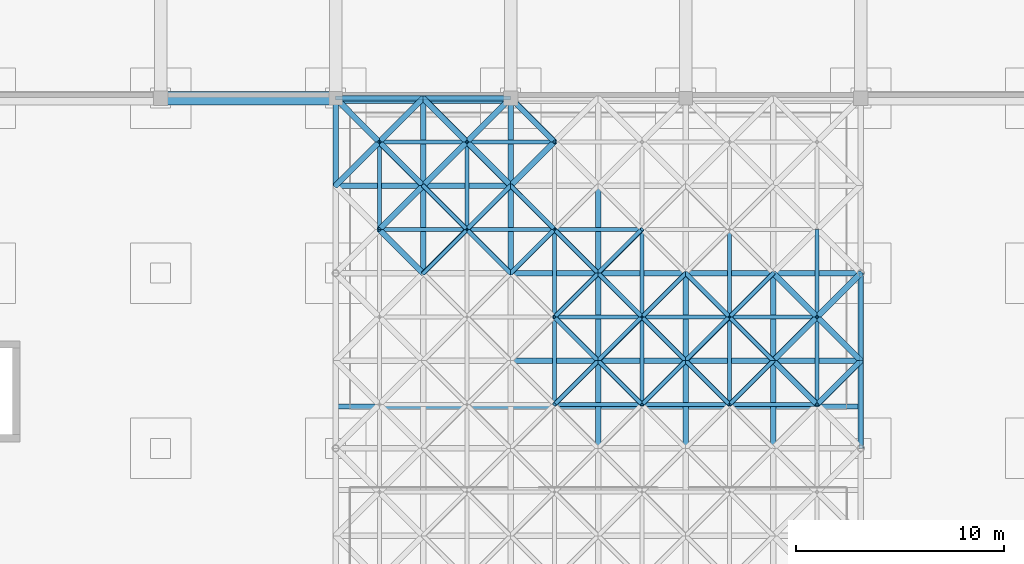
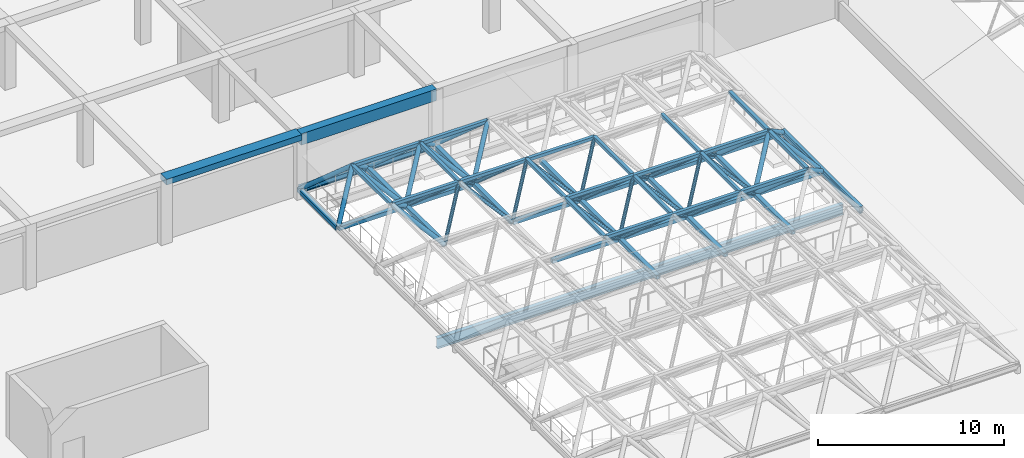
# One storey, part 24 of 85: 88 members, 5 beams.
"""IFC4 building model written with IfcOpenShell, lengths in metres."""

from ifc_helpers import new_model, si_unit, direction, frame, origin, origin_2d, place, context, subcontext, project, spatial, rectangle, hollow_rectangle, hollow_circle, i_section, extrude, material, material_profile, profile_set, type_object, element, save


model = new_model("IFC4")

# Units and contexts
model_context = context("Model", 3, precision=1e-05, world=origin(), true_north=direction((0.0, 1.0)))
body_context = subcontext(model_context, "Body", "Model", "MODEL_VIEW")
ifc_project = project(units=[si_unit("LENGTHUNIT", "METRE"), si_unit("AREAUNIT", "SQUARE_METRE"), si_unit("VOLUMEUNIT", "CUBIC_METRE"), si_unit("PLANEANGLEUNIT", "RADIAN"), si_unit("MASSUNIT", "GRAM", prefix="KILO")], contexts=[model_context])

# Site, building, storey
site_placement = place(None, origin())
site = spatial("IfcSite", under=ifc_project, at=site_placement, CompositionType="ELEMENT")
building_placement = place(site_placement, origin())
building = spatial("IfcBuilding", under=site, at=building_placement, Name="Almacenes y Pasaje Nevantli", CompositionType="ELEMENT")
storey_placement = place(building_placement, frame((0.0, 0.0, 22.199951171875)))
storey = spatial("IfcBuildingStorey", under=building, at=storey_placement, Name="L05", CompositionType="ELEMENT", Elevation=22.199951171875)

# Beams
ifc_material_1 = material(Name="Concrete C35/45", Category="concrete")
ifc_material_profile_1 = material_profile(ifc_material_1, rectangle(XDim=0.5, YDim=0.75, at=origin_2d()), Name="RC-BM-500x750")
ifc_profile_set_1 = profile_set([ifc_material_profile_1], Name="Concrete C35/45")
beam_type_1 = type_object("IfcBeamType", Name="BM-RC-500x750", PredefinedType="BEAM", material=ifc_profile_set_1)
beam_1_placement = place(storey_placement, frame((33.60009765625, 75.60009765625, 3.844970703125), z_axis=(1.0, 0.0, 0.0), x_axis=(0.0, 1.0, 0.0)))
element("IfcBeam", 1, at=beam_1_placement, inside=storey, type_object=beam_type_1, Name="L05 East-West Reinforced Concrete Beam #3324", PredefinedType="BEAM", context=body_context, shape_type="SweptSolid", body=[
    extrude(rectangle(XDim=0.5, YDim=0.75, at=origin_2d()), origin(), (0.0, 0.0, 1.0), 8.39990234375),
])
ifc_material_2 = material(Name="Concrete C35/45", Category="concrete")
ifc_material_profile_2 = material_profile(ifc_material_2, rectangle(XDim=0.64990234375, YDim=0.3798828125, at=origin_2d()), Name="RC-BM-650x380")
ifc_profile_set_2 = profile_set([ifc_material_profile_2], Name="Concrete C35/45")
beam_type_2 = type_object("IfcBeamType", Name="BM-RC-650x380", PredefinedType="BEAM", material=ifc_profile_set_2)
beam_2_placement = place(storey_placement, frame((25.199951171875, 75.60009765625, 4.030029296875), z_axis=(1.0, 0.0, 0.0), x_axis=(0.0, 1.0, 0.0)))
element("IfcBeam", 2, at=beam_2_placement, inside=storey, type_object=beam_type_2, Name="L05 East-West Reinforced Concrete Beam #3323", PredefinedType="BEAM", context=body_context, shape_type="SweptSolid", body=[
    extrude(rectangle(XDim=0.64990234375, YDim=0.3798828125, at=origin_2d()), origin(), (0.0, 0.0, 1.0), 8.400146484375),
])
ifc_material_3 = material(Name="Steel ASTM A992", Category="steel")
ifc_material_profile_3 = material_profile(ifc_material_3, i_section(OverallWidth=0.193115234375, OverallDepth=0.4599609375, WebThickness=0.011474609375, FlangeThickness=0.01904296875, at=origin_2d()), Name="IR 457x96.7")
ifc_profile_set_3 = profile_set([ifc_material_profile_3], Name="Steel ASTM A992")
beam_type_3 = type_object("IfcBeamType", Name="BM-STL-IR-457x96p7", PredefinedType="BEAM", material=ifc_profile_set_3)
for number, where, z_axis, x_axis, name in (
    (3, (58.800048828125, 58.800048828125, 0.449951171875), (0.0, 1.0, 0.0), (-1.0, 0.0, 0.0), "Atrium Skylight Perimeter Steel Eave Girder #7"),
    (4, (33.60009765625, 75.60009765625, 0.449951171875), (1.0, 0.0, 0.0), (0.0, 1.0, 0.0), "Atrium Skylight Perimeter Steel Eave Girder #12"),
):
    element("IfcBeam", number, at=place(storey_placement, frame(where, z_axis=z_axis, x_axis=x_axis)), inside=storey, type_object=beam_type_3, Name=name, PredefinedType="BEAM", context=body_context, shape_type="SweptSolid", body=[
        extrude(i_section(OverallWidth=0.193115234375, OverallDepth=0.4599609375, WebThickness=0.011474609375, FlangeThickness=0.01904296875, at=origin_2d()), origin(), (0.0, 0.0, 1.0), 8.39990234375),
    ])
ifc_material_4 = material(Name="Steel ASTM A992", Category="steel")
ifc_material_profile_4 = material_profile(ifc_material_4, i_section(OverallWidth=0.25390625, OverallDepth=0.68798828125, WebThickness=0.01318359375, FlangeThickness=0.02099609375, at=origin_2d()), Name="IR 686x152.0")
ifc_profile_set_4 = profile_set([ifc_material_profile_4], Name="Steel ASTM A992")
beam_type_4 = type_object("IfcBeamType", Name="BM-STL-IR-686x152p0", PredefinedType="BEAM", material=ifc_profile_set_4)
beam_3_placement = place(storey_placement, frame((33.60009765625, 60.800048828125, -0.65185546875), z_axis=(1.0, 0.0, 0.0), x_axis=(0.0, 1.0, 0.0)))
element("IfcBeam", 5, at=beam_3_placement, inside=storey, type_object=beam_type_4, Name="L05 Atrium Escalator Bridge and Trimmer Girder #3", PredefinedType="BEAM", context=body_context, shape_type="SweptSolid", body=[
    extrude(i_section(OverallWidth=0.25390625, OverallDepth=0.68798828125, WebThickness=0.01318359375, FlangeThickness=0.02099609375, at=origin_2d()), origin(), (0.0, 0.0, 1.0), 25.199951171875),
])

# Members
ifc_material_5 = material(Name="Steel ASTM A500 Grade C", Category="steel")
ifc_material_profile_5 = material_profile(ifc_material_5, hollow_circle(Radius=0.109619140625, WallThickness=0.00830078125, at=origin_2d()), Name="OC 219x8.2")
ifc_profile_set_5 = profile_set([ifc_material_profile_5], Name="Steel ASTM A500 Grade C")
member_type_1 = type_object("IfcMemberType", Name="MBR-BRC-OC219", PredefinedType="BRACE", material=ifc_profile_set_5)
for number, where, z_axis, x_axis, name in (
    (6, (37.800048828125, 67.199951171875, 0.449951171875), (0.57730552116, 0.577372641904, 0.577372641904), (-0.707147883682, 0.707065676302, 0.0), "Atrium Skylight Space Frame Diagonal Web #194"),
    (7, (42.0, 67.199951171875, 0.449951171875), (-0.57735026919, 0.57735026919, 0.57735026919), (-0.707106781187, -0.707106781187, 0.0), "Atrium Skylight Space Frame Diagonal Web #195"),
    (8, (42.0, 71.39990234375, 0.449951171875), (-0.577372641904, -0.57730552116, 0.577372641904), (0.707065676302, -0.707147883682, 0.0), "Atrium Skylight Space Frame Diagonal Web #196"),
):
    element("IfcMember", number, at=place(storey_placement, frame(where, z_axis=z_axis, x_axis=x_axis)), inside=storey, type_object=member_type_1, Name=name, PredefinedType="BRACE", context=body_context, shape_type="SweptSolid", body=[
        extrude(hollow_circle(Radius=0.109619140625, WallThickness=0.00830078125, at=origin_2d()), origin(), (0.0, 0.0, 1.0), 3.637451171875),
    ])
member_1_placement = place(storey_placement, frame((37.800048828125, 71.39990234375, 0.449951171875), z_axis=(0.577327893874, -0.577327893874, 0.577395017219), x_axis=(0.707106781187, 0.707106781187, 0.0)))
element("IfcMember", 9, at=member_1_placement, inside=storey, type_object=member_type_1, Name="Atrium Skylight Space Frame Diagonal Web #197", PredefinedType="BRACE", context=body_context, shape_type="SweptSolid", body=[
    extrude(hollow_circle(Radius=0.109619140625, WallThickness=0.00830078125, at=origin_2d()), origin(), (0.0, 0.0, 1.0), 3.63720703125),
])
for number, where, z_axis, x_axis, name in (
    (10, (46.199951171875, 63.0, 0.449951171875), (-0.57730552116, -0.577372641904, 0.577372641904), (0.707147883682, -0.707065676302, 0.0), "Atrium Skylight Space Frame Diagonal Web #231"),
    (11, (46.199951171875, 63.0, 0.449951171875), (-0.57730552116, 0.577372641904, 0.577372641904), (-0.707147883682, -0.707065676302, 0.0), "Atrium Skylight Space Frame Diagonal Web #236"),
):
    element("IfcMember", number, at=place(storey_placement, frame(where, z_axis=z_axis, x_axis=x_axis)), inside=storey, type_object=member_type_1, Name=name, PredefinedType="BRACE", context=body_context, shape_type="SweptSolid", body=[
        extrude(hollow_circle(Radius=0.109619140625, WallThickness=0.00830078125, at=origin_2d()), origin(), (0.0, 0.0, 1.0), 3.637451171875),
    ])
member_2_placement = place(storey_placement, frame((46.199951171875, 67.199951171875, 0.449951171875), z_axis=(-0.577327893874, -0.577327893874, 0.577395017219), x_axis=(0.707106781187, -0.707106781187, 0.0)))
element("IfcMember", 12, at=member_2_placement, inside=storey, type_object=member_type_1, Name="Atrium Skylight Space Frame Diagonal Web #237", PredefinedType="BRACE", context=body_context, shape_type="SweptSolid", body=[
    extrude(hollow_circle(Radius=0.109619140625, WallThickness=0.00830078125, at=origin_2d()), origin(), (0.0, 0.0, 1.0), 3.63720703125),
])
for number, where, z_axis, x_axis, name in (
    (13, (42.0, 67.199951171875, 0.449951171875), (0.57735026919, 0.57735026919, 0.57735026919), (-0.707106781187, 0.707106781187, 0.0), "Atrium Skylight Space Frame Diagonal Web #241"),
    (14, (46.199951171875, 67.199951171875, 0.449951171875), (-0.57730552116, 0.577372641904, 0.577372641904), (-0.707147883682, -0.707065676302, 0.0), "Atrium Skylight Space Frame Diagonal Web #242"),
    (15, (42.0, 71.39990234375, 0.449951171875), (0.577372641904, -0.57730552116, 0.577372641904), (0.707065676302, 0.707147883682, 0.0), "Atrium Skylight Space Frame Diagonal Web #244"),
    (16, (50.39990234375, 63.0, 0.449951171875), (-0.57730552116, -0.577372641904, 0.577372641904), (0.707147883682, -0.707065676302, 0.0), "Atrium Skylight Space Frame Diagonal Web #278"),
    (17, (46.199951171875, 63.0, 0.449951171875), (0.57735026919, -0.57735026919, 0.57735026919), (0.707106781187, 0.707106781187, 0.0), "Atrium Skylight Space Frame Diagonal Web #279"),
    (18, (46.199951171875, 63.0, 0.449951171875), (0.57735026919, 0.57735026919, 0.57735026919), (-0.707106781187, 0.707106781187, 0.0), "Atrium Skylight Space Frame Diagonal Web #282"),
    (19, (50.39990234375, 63.0, 0.449951171875), (-0.57730552116, 0.577372641904, 0.577372641904), (-0.707147883682, -0.707065676302, 0.0), "Atrium Skylight Space Frame Diagonal Web #283"),
):
    element("IfcMember", number, at=place(storey_placement, frame(where, z_axis=z_axis, x_axis=x_axis)), inside=storey, type_object=member_type_1, Name=name, PredefinedType="BRACE", context=body_context, shape_type="SweptSolid", body=[
        extrude(hollow_circle(Radius=0.109619140625, WallThickness=0.00830078125, at=origin_2d()), origin(), (0.0, 0.0, 1.0), 3.637451171875),
    ])
member_3_placement = place(storey_placement, frame((50.39990234375, 67.199951171875, 0.449951171875), z_axis=(-0.577327893874, -0.577327893874, 0.577395017219), x_axis=(0.707106781187, -0.707106781187, 0.0)))
element("IfcMember", 20, at=member_3_placement, inside=storey, type_object=member_type_1, Name="Atrium Skylight Space Frame Diagonal Web #284", PredefinedType="BRACE", context=body_context, shape_type="SweptSolid", body=[
    extrude(hollow_circle(Radius=0.109619140625, WallThickness=0.00830078125, at=origin_2d()), origin(), (0.0, 0.0, 1.0), 3.63720703125),
])
for number, where, z_axis, x_axis, name in (
    (21, (46.199951171875, 67.199951171875, 0.449951171875), (0.577372641904, -0.57730552116, 0.577372641904), (0.707065676302, 0.707147883682, 0.0), "Atrium Skylight Space Frame Diagonal Web #285"),
    (22, (46.199951171875, 67.199951171875, 0.449951171875), (0.57735026919, 0.57735026919, 0.57735026919), (-0.707106781187, 0.707106781187, 0.0), "Atrium Skylight Space Frame Diagonal Web #288"),
    (23, (54.60009765625, 63.0, 0.449951171875), (-0.57735026919, -0.57735026919, 0.57735026919), (0.707106781187, -0.707106781187, 0.0), "Atrium Skylight Space Frame Diagonal Web #325"),
    (24, (50.39990234375, 63.0, 0.449951171875), (0.57735026919, -0.57735026919, 0.57735026919), (0.707106781187, 0.707106781187, 0.0), "Atrium Skylight Space Frame Diagonal Web #326"),
    (25, (50.39990234375, 63.0, 0.449951171875), (0.57735026919, 0.57735026919, 0.57735026919), (-0.707106781187, 0.707106781187, 0.0), "Atrium Skylight Space Frame Diagonal Web #329"),
    (26, (54.60009765625, 63.0, 0.449951171875), (-0.57735026919, 0.57735026919, 0.57735026919), (-0.707106781187, -0.707106781187, 0.0), "Atrium Skylight Space Frame Diagonal Web #330"),
    (27, (54.60009765625, 67.199951171875, 0.449951171875), (-0.577372641904, -0.57730552116, 0.577372641904), (0.707065676302, -0.707147883682, 0.0), "Atrium Skylight Space Frame Diagonal Web #331"),
    (28, (50.39990234375, 67.199951171875, 0.449951171875), (0.577372641904, -0.57730552116, 0.577372641904), (0.707065676302, 0.707147883682, 0.0), "Atrium Skylight Space Frame Diagonal Web #332"),
):
    element("IfcMember", number, at=place(storey_placement, frame(where, z_axis=z_axis, x_axis=x_axis)), inside=storey, type_object=member_type_1, Name=name, PredefinedType="BRACE", context=body_context, shape_type="SweptSolid", body=[
        extrude(hollow_circle(Radius=0.109619140625, WallThickness=0.00830078125, at=origin_2d()), origin(), (0.0, 0.0, 1.0), 3.637451171875),
    ])
ifc_material_6 = material(Name="Steel ASTM A500 Grade C", Category="steel")
ifc_material_profile_6 = material_profile(ifc_material_6, hollow_circle(Radius=0.136474609375, WallThickness=0.00927734375, at=origin_2d()), Name="OC 273x9.3")
ifc_profile_set_6 = profile_set([ifc_material_profile_6], Name="Steel ASTM A500 Grade C")
member_type_2 = type_object("IfcMemberType", Name="MBR-BRC-OC273", PredefinedType="BRACE", material=ifc_profile_set_6)
for number, where, z_axis, x_axis, name in (
    (29, (37.800048828125, 67.199951171875, 0.449951171875), (-0.57735026919, 0.57735026919, 0.57735026919), (-0.707106781187, -0.707106781187, 0.0), "Atrium Skylight Space Frame Diagonal Web #148"),
    (30, (37.800048828125, 71.39990234375, 0.449951171875), (-0.577372641904, -0.57730552116, 0.577372641904), (0.707065676302, -0.707147883682, 0.0), "Atrium Skylight Space Frame Diagonal Web #149"),
    (31, (33.60009765625, 71.39990234375, 0.449951171875), (0.57730552116, 0.577372641904, 0.577372641904), (-0.707147883682, 0.707065676302, 0.0), "Atrium Skylight Space Frame Diagonal Web #153"),
    (32, (37.800048828125, 71.39990234375, 0.449951171875), (-0.57735026919, 0.57735026919, 0.57735026919), (-0.707106781187, -0.707106781187, 0.0), "Atrium Skylight Space Frame Diagonal Web #154"),
    (33, (37.800048828125, 75.60009765625, 0.449951171875), (-0.57735026919, -0.57735026919, 0.57735026919), (0.707106781187, -0.707106781187, 0.0), "Atrium Skylight Space Frame Diagonal Web #155"),
    (34, (33.60009765625, 75.60009765625, 0.449951171875), (0.57730552116, -0.577372641904, 0.577372641904), (0.707147883682, 0.707065676302, 0.0), "Atrium Skylight Space Frame Diagonal Web #156"),
    (35, (37.800048828125, 71.39990234375, 0.449951171875), (0.57730552116, 0.577372641904, 0.577372641904), (-0.707147883682, 0.707065676302, 0.0), "Atrium Skylight Space Frame Diagonal Web #200"),
    (36, (42.0, 71.39990234375, 0.449951171875), (-0.57735026919, 0.57735026919, 0.57735026919), (-0.707106781187, -0.707106781187, 0.0), "Atrium Skylight Space Frame Diagonal Web #201"),
    (37, (42.0, 75.60009765625, 0.449951171875), (-0.57735026919, -0.57735026919, 0.57735026919), (0.707106781187, -0.707106781187, 0.0), "Atrium Skylight Space Frame Diagonal Web #202"),
    (38, (37.800048828125, 75.60009765625, 0.449951171875), (0.57730552116, -0.577372641904, 0.577372641904), (0.707147883682, 0.707065676302, 0.0), "Atrium Skylight Space Frame Diagonal Web #203"),
    (39, (42.0, 71.39990234375, 0.449951171875), (0.57735026919, 0.57735026919, 0.57735026919), (-0.707106781187, 0.707106781187, 0.0), "Atrium Skylight Space Frame Diagonal Web #247"),
    (40, (42.0, 75.60009765625, 0.449951171875), (0.57735026919, -0.57735026919, 0.57735026919), (0.707106781187, 0.707106781187, 0.0), "Atrium Skylight Space Frame Diagonal Web #250"),
    (41, (58.800048828125, 63.0, 0.449951171875), (-0.57735026919, -0.57735026919, 0.57735026919), (0.707106781187, -0.707106781187, 0.0), "Atrium Skylight Space Frame Diagonal Web #368"),
    (42, (54.60009765625, 63.0, 0.449951171875), (0.57730552116, -0.577372641904, 0.577372641904), (0.707147883682, 0.707065676302, 0.0), "Atrium Skylight Space Frame Diagonal Web #369"),
    (43, (54.60009765625, 63.0, 0.449951171875), (0.57730552116, 0.577372641904, 0.577372641904), (-0.707147883682, 0.707065676302, 0.0), "Atrium Skylight Space Frame Diagonal Web #371"),
    (44, (58.800048828125, 63.0, 0.449951171875), (-0.57735026919, 0.57735026919, 0.57735026919), (-0.707106781187, -0.707106781187, 0.0), "Atrium Skylight Space Frame Diagonal Web #372"),
    (45, (58.800048828125, 67.199951171875, 0.449951171875), (-0.577372641904, -0.57730552116, 0.577372641904), (0.707065676302, -0.707147883682, 0.0), "Atrium Skylight Space Frame Diagonal Web #373"),
):
    element("IfcMember", number, at=place(storey_placement, frame(where, z_axis=z_axis, x_axis=x_axis)), inside=storey, type_object=member_type_2, Name=name, PredefinedType="BRACE", context=body_context, shape_type="SweptSolid", body=[
        extrude(hollow_circle(Radius=0.136474609375, WallThickness=0.00927734375, at=origin_2d()), origin(), (0.0, 0.0, 1.0), 3.637451171875),
    ])
member_4_placement = place(storey_placement, frame((54.60009765625, 67.199951171875, 0.449951171875), z_axis=(0.577327893874, -0.577327893874, 0.577395017219), x_axis=(0.707106781187, 0.707106781187, 0.0)))
element("IfcMember", 46, at=member_4_placement, inside=storey, type_object=member_type_2, Name="Atrium Skylight Space Frame Diagonal Web #374", PredefinedType="BRACE", context=body_context, shape_type="SweptSolid", body=[
    extrude(hollow_circle(Radius=0.136474609375, WallThickness=0.00927734375, at=origin_2d()), origin(), (0.0, 0.0, 1.0), 3.63720703125),
])
ifc_material_7 = material(Name="Steel ASTM A500 Grade C", Category="steel")
ifc_material_profile_7 = material_profile(ifc_material_7, hollow_rectangle(XDim=0.203125, YDim=0.203125, WallThickness=0.009521484375, at=origin_2d()), Name="OR 203x203x9.5")
ifc_profile_set_7 = profile_set([ifc_material_profile_7], Name="Steel ASTM A500 Grade C")
member_type_3 = type_object("IfcMemberType", Name="MBR-BRC-OR203", PredefinedType="BRACE", material=ifc_profile_set_7)
for number, where, z_axis, x_axis, name in (
    (47, (35.699951171875, 69.300048828125, 2.550048828125), (1.0, 0.0, 0.0), (0.0, 1.0, 0.0), "Atrium Skylight Space Frame Top Chord X #151"),
    (48, (35.699951171875, 69.300048828125, 2.550048828125), (0.0, 1.0, 0.0), (-1.0, 0.0, 0.0), "Atrium Skylight Space Frame Top Chord Y #152"),
    (49, (35.699951171875, 73.5, 2.550048828125), (1.0, 0.0, 0.0), (0.0, 1.0, 0.0), "Atrium Skylight Space Frame Top Chord X #157"),
):
    element("IfcMember", number, at=place(storey_placement, frame(where, z_axis=z_axis, x_axis=x_axis)), inside=storey, type_object=member_type_3, Name=name, PredefinedType="BRACE", context=body_context, shape_type="SweptSolid", body=[
        extrude(hollow_rectangle(XDim=0.203125, YDim=0.203125, WallThickness=0.009521484375, at=origin_2d()), origin(), (0.0, 0.0, 1.0), 4.199951171875),
    ])
member_5_placement = place(storey_placement, frame((39.89990234375, 69.300048828125, 2.550048828125), z_axis=(1.0, 0.0, 0.0), x_axis=(0.0, 1.0, 0.0)))
element("IfcMember", 50, at=member_5_placement, inside=storey, type_object=member_type_3, Name="Atrium Skylight Space Frame Top Chord X #198", PredefinedType="BRACE", context=body_context, shape_type="SweptSolid", body=[
    extrude(hollow_rectangle(XDim=0.203125, YDim=0.203125, WallThickness=0.009521484375, at=origin_2d()), origin(), (0.0, 0.0, 1.0), 4.2001953125),
])
member_6_placement = place(storey_placement, frame((39.89990234375, 69.300048828125, 2.550048828125), z_axis=(0.0, 1.0, 0.0), x_axis=(-1.0, 0.0, 0.0)))
element("IfcMember", 51, at=member_6_placement, inside=storey, type_object=member_type_3, Name="Atrium Skylight Space Frame Top Chord Y #199", PredefinedType="BRACE", context=body_context, shape_type="SweptSolid", body=[
    extrude(hollow_rectangle(XDim=0.203125, YDim=0.203125, WallThickness=0.009521484375, at=origin_2d()), origin(), (0.0, 0.0, 1.0), 4.199951171875),
])
member_7_placement = place(storey_placement, frame((39.89990234375, 73.5, 2.550048828125), z_axis=(1.0, 0.0, 0.0), x_axis=(0.0, 1.0, 0.0)))
element("IfcMember", 52, at=member_7_placement, inside=storey, type_object=member_type_3, Name="Atrium Skylight Space Frame Top Chord X #204", PredefinedType="BRACE", context=body_context, shape_type="SweptSolid", body=[
    extrude(hollow_rectangle(XDim=0.203125, YDim=0.203125, WallThickness=0.009521484375, at=origin_2d()), origin(), (0.0, 0.0, 1.0), 4.2001953125),
])
member_8_placement = place(storey_placement, frame((44.10009765625, 60.89990234375, 2.550048828125), z_axis=(1.0, 0.0, 0.0), x_axis=(0.0, 1.0, 0.0)))
element("IfcMember", 53, at=member_8_placement, inside=storey, type_object=member_type_3, Name="Atrium Skylight Space Frame Top Chord X #233", PredefinedType="BRACE", context=body_context, shape_type="SweptSolid", body=[
    extrude(hollow_rectangle(XDim=0.203125, YDim=0.203125, WallThickness=0.009521484375, at=origin_2d()), origin(), (0.0, 0.0, 1.0), 4.199951171875),
])
member_9_placement = place(storey_placement, frame((44.10009765625, 60.89990234375, 2.550048828125), z_axis=(0.0, 1.0, 0.0), x_axis=(-1.0, 0.0, 0.0)))
element("IfcMember", 54, at=member_9_placement, inside=storey, type_object=member_type_3, Name="Atrium Skylight Space Frame Top Chord Y #234", PredefinedType="BRACE", context=body_context, shape_type="SweptSolid", body=[
    extrude(hollow_rectangle(XDim=0.203125, YDim=0.203125, WallThickness=0.009521484375, at=origin_2d()), origin(), (0.0, 0.0, 1.0), 4.2001953125),
])
for number, where, z_axis, x_axis, name in (
    (55, (44.10009765625, 65.10009765625, 2.550048828125), (1.0, 0.0, 0.0), (0.0, 1.0, 0.0), "Atrium Skylight Space Frame Top Chord X #239"),
    (56, (44.10009765625, 65.10009765625, 2.550048828125), (0.0, 1.0, 0.0), (-1.0, 0.0, 0.0), "Atrium Skylight Space Frame Top Chord Y #240"),
    (57, (44.10009765625, 69.300048828125, 2.550048828125), (1.0, 0.0, 0.0), (0.0, 1.0, 0.0), "Atrium Skylight Space Frame Top Chord X #245"),
    (58, (48.300048828125, 60.89990234375, 2.550048828125), (1.0, 0.0, 0.0), (0.0, 1.0, 0.0), "Atrium Skylight Space Frame Top Chord X #280"),
):
    element("IfcMember", number, at=place(storey_placement, frame(where, z_axis=z_axis, x_axis=x_axis)), inside=storey, type_object=member_type_3, Name=name, PredefinedType="BRACE", context=body_context, shape_type="SweptSolid", body=[
        extrude(hollow_rectangle(XDim=0.203125, YDim=0.203125, WallThickness=0.009521484375, at=origin_2d()), origin(), (0.0, 0.0, 1.0), 4.199951171875),
    ])
member_10_placement = place(storey_placement, frame((48.300048828125, 60.89990234375, 2.550048828125), z_axis=(0.0, 1.0, 0.0), x_axis=(-1.0, 0.0, 0.0)))
element("IfcMember", 59, at=member_10_placement, inside=storey, type_object=member_type_3, Name="Atrium Skylight Space Frame Top Chord Y #281", PredefinedType="BRACE", context=body_context, shape_type="SweptSolid", body=[
    extrude(hollow_rectangle(XDim=0.203125, YDim=0.203125, WallThickness=0.009521484375, at=origin_2d()), origin(), (0.0, 0.0, 1.0), 4.2001953125),
])
for number, where, z_axis, x_axis, name in (
    (60, (48.300048828125, 65.10009765625, 2.550048828125), (1.0, 0.0, 0.0), (0.0, 1.0, 0.0), "Atrium Skylight Space Frame Top Chord X #286"),
    (61, (48.300048828125, 65.10009765625, 2.550048828125), (0.0, 1.0, 0.0), (-1.0, 0.0, 0.0), "Atrium Skylight Space Frame Top Chord Y #287"),
    (62, (52.5, 60.89990234375, 2.550048828125), (1.0, 0.0, 0.0), (0.0, 1.0, 0.0), "Atrium Skylight Space Frame Top Chord X #327"),
):
    element("IfcMember", number, at=place(storey_placement, frame(where, z_axis=z_axis, x_axis=x_axis)), inside=storey, type_object=member_type_3, Name=name, PredefinedType="BRACE", context=body_context, shape_type="SweptSolid", body=[
        extrude(hollow_rectangle(XDim=0.203125, YDim=0.203125, WallThickness=0.009521484375, at=origin_2d()), origin(), (0.0, 0.0, 1.0), 4.199951171875),
    ])
member_11_placement = place(storey_placement, frame((52.5, 60.89990234375, 2.550048828125), z_axis=(0.0, 1.0, 0.0), x_axis=(-1.0, 0.0, 0.0)))
element("IfcMember", 63, at=member_11_placement, inside=storey, type_object=member_type_3, Name="Atrium Skylight Space Frame Top Chord Y #328", PredefinedType="BRACE", context=body_context, shape_type="SweptSolid", body=[
    extrude(hollow_rectangle(XDim=0.203125, YDim=0.203125, WallThickness=0.009521484375, at=origin_2d()), origin(), (0.0, 0.0, 1.0), 4.2001953125),
])
for number, where, z_axis, x_axis, name in (
    (64, (52.5, 65.10009765625, 2.550048828125), (1.0, 0.0, 0.0), (0.0, 1.0, 0.0), "Atrium Skylight Space Frame Top Chord X #333"),
    (65, (52.5, 65.10009765625, 2.550048828125), (0.0, 1.0, 0.0), (-1.0, 0.0, 0.0), "Atrium Skylight Space Frame Top Chord Y #334"),
):
    element("IfcMember", number, at=place(storey_placement, frame(where, z_axis=z_axis, x_axis=x_axis)), inside=storey, type_object=member_type_3, Name=name, PredefinedType="BRACE", context=body_context, shape_type="SweptSolid", body=[
        extrude(hollow_rectangle(XDim=0.203125, YDim=0.203125, WallThickness=0.009521484375, at=origin_2d()), origin(), (0.0, 0.0, 1.0), 4.199951171875),
    ])
member_12_placement = place(storey_placement, frame((56.699951171875, 60.89990234375, 2.550048828125), z_axis=(0.0, 1.0, 0.0), x_axis=(-1.0, 0.0, 0.0)))
element("IfcMember", 66, at=member_12_placement, inside=storey, type_object=member_type_3, Name="Atrium Skylight Space Frame Top Chord Y #370", PredefinedType="BRACE", context=body_context, shape_type="SweptSolid", body=[
    extrude(hollow_rectangle(XDim=0.203125, YDim=0.203125, WallThickness=0.009521484375, at=origin_2d()), origin(), (0.0, 0.0, 1.0), 4.2001953125),
])
member_13_placement = place(storey_placement, frame((56.699951171875, 65.10009765625, 2.550048828125), z_axis=(0.0, 1.0, 0.0), x_axis=(-1.0, 0.0, 0.0)))
element("IfcMember", 67, at=member_13_placement, inside=storey, type_object=member_type_3, Name="Atrium Skylight Space Frame Top Chord Y #375", PredefinedType="BRACE", context=body_context, shape_type="SweptSolid", body=[
    extrude(hollow_rectangle(XDim=0.203125, YDim=0.203125, WallThickness=0.009521484375, at=origin_2d()), origin(), (0.0, 0.0, 1.0), 4.199951171875),
])
ifc_material_8 = material(Name="Steel ASTM A500 Grade C", Category="steel")
ifc_material_profile_8 = material_profile(ifc_material_8, hollow_rectangle(XDim=0.25390625, YDim=0.25390625, WallThickness=0.009521484375, at=origin_2d()), Name="OR 254x254x9.5")
ifc_profile_set_8 = profile_set([ifc_material_profile_8], Name="Steel ASTM A500 Grade C")
member_type_4 = type_object("IfcMemberType", Name="MBR-BRC-OR254", PredefinedType="BRACE", material=ifc_profile_set_8)
member_14_placement = place(storey_placement, frame((33.60009765625, 71.39990234375, 0.449951171875), z_axis=(0.0, 1.0, 0.0), x_axis=(-1.0, 0.0, 0.0)))
element("IfcMember", 68, at=member_14_placement, inside=storey, type_object=member_type_4, Name="Atrium Skylight Space Frame Bottom Chord #8", PredefinedType="BRACE", context=body_context, shape_type="SweptSolid", body=[
    extrude(hollow_rectangle(XDim=0.25390625, YDim=0.25390625, WallThickness=0.009521484375, at=origin_2d()), origin(), (0.0, 0.0, 1.0), 4.2001953125),
])
member_15_placement = place(storey_placement, frame((37.800048828125, 67.199951171875, 0.449951171875), z_axis=(0.0, 1.0, 0.0), x_axis=(-1.0, 0.0, 0.0)))
element("IfcMember", 69, at=member_15_placement, inside=storey, type_object=member_type_4, Name="Atrium Skylight Space Frame Bottom Chord #15", PredefinedType="BRACE", context=body_context, shape_type="SweptSolid", body=[
    extrude(hollow_rectangle(XDim=0.25390625, YDim=0.25390625, WallThickness=0.009521484375, at=origin_2d()), origin(), (0.0, 0.0, 1.0), 4.199951171875),
])
member_16_placement = place(storey_placement, frame((37.800048828125, 71.39990234375, 0.449951171875), z_axis=(0.0, 1.0, 0.0), x_axis=(-1.0, 0.0, 0.0)))
element("IfcMember", 70, at=member_16_placement, inside=storey, type_object=member_type_4, Name="Atrium Skylight Space Frame Bottom Chord #16", PredefinedType="BRACE", context=body_context, shape_type="SweptSolid", body=[
    extrude(hollow_rectangle(XDim=0.25390625, YDim=0.25390625, WallThickness=0.009521484375, at=origin_2d()), origin(), (0.0, 0.0, 1.0), 4.2001953125),
])
member_17_placement = place(storey_placement, frame((42.0, 67.199951171875, 0.449951171875), z_axis=(0.0, 1.0, 0.0), x_axis=(-1.0, 0.0, 0.0)))
element("IfcMember", 71, at=member_17_placement, inside=storey, type_object=member_type_4, Name="Atrium Skylight Space Frame Bottom Chord #23", PredefinedType="BRACE", context=body_context, shape_type="SweptSolid", body=[
    extrude(hollow_rectangle(XDim=0.25390625, YDim=0.25390625, WallThickness=0.009521484375, at=origin_2d()), origin(), (0.0, 0.0, 1.0), 4.199951171875),
])
member_18_placement = place(storey_placement, frame((42.0, 71.39990234375, 0.449951171875), z_axis=(0.0, 1.0, 0.0), x_axis=(-1.0, 0.0, 0.0)))
element("IfcMember", 72, at=member_18_placement, inside=storey, type_object=member_type_4, Name="Atrium Skylight Space Frame Bottom Chord #24", PredefinedType="BRACE", context=body_context, shape_type="SweptSolid", body=[
    extrude(hollow_rectangle(XDim=0.25390625, YDim=0.25390625, WallThickness=0.009521484375, at=origin_2d()), origin(), (0.0, 0.0, 1.0), 4.2001953125),
])
for number, where, z_axis, x_axis, name in (
    (73, (46.199951171875, 58.800048828125, 0.449951171875), (0.0, 1.0, 0.0), (-1.0, 0.0, 0.0), "Atrium Skylight Space Frame Bottom Chord #29"),
    (74, (46.199951171875, 63.0, 0.449951171875), (0.0, 1.0, 0.0), (-1.0, 0.0, 0.0), "Atrium Skylight Space Frame Bottom Chord #30"),
    (75, (46.199951171875, 67.199951171875, 0.449951171875), (0.0, 1.0, 0.0), (-1.0, 0.0, 0.0), "Atrium Skylight Space Frame Bottom Chord #31"),
    (76, (50.39990234375, 58.800048828125, 0.449951171875), (0.0, 1.0, 0.0), (-1.0, 0.0, 0.0), "Atrium Skylight Space Frame Bottom Chord #37"),
    (77, (50.39990234375, 63.0, 0.449951171875), (0.0, 1.0, 0.0), (-1.0, 0.0, 0.0), "Atrium Skylight Space Frame Bottom Chord #38"),
    (78, (54.60009765625, 58.800048828125, 0.449951171875), (0.0, 1.0, 0.0), (-1.0, 0.0, 0.0), "Atrium Skylight Space Frame Bottom Chord #45"),
    (79, (54.60009765625, 63.0, 0.449951171875), (0.0, 1.0, 0.0), (-1.0, 0.0, 0.0), "Atrium Skylight Space Frame Bottom Chord #46"),
    (80, (58.800048828125, 58.800048828125, 0.449951171875), (0.0, 1.0, 0.0), (-1.0, 0.0, 0.0), "Atrium Skylight Space Frame Bottom Chord #53"),
    (81, (58.800048828125, 63.0, 0.449951171875), (0.0, 1.0, 0.0), (-1.0, 0.0, 0.0), "Atrium Skylight Space Frame Bottom Chord #54"),
    (82, (42.0, 63.0, 0.449951171875), (1.0, 0.0, 0.0), (0.0, 1.0, 0.0), "Atrium Skylight Space Frame Bottom Cross Chord #89"),
    (83, (46.199951171875, 63.0, 0.449951171875), (1.0, 0.0, 0.0), (0.0, 1.0, 0.0), "Atrium Skylight Space Frame Bottom Cross Chord #90"),
):
    element("IfcMember", number, at=place(storey_placement, frame(where, z_axis=z_axis, x_axis=x_axis)), inside=storey, type_object=member_type_4, Name=name, PredefinedType="BRACE", context=body_context, shape_type="SweptSolid", body=[
        extrude(hollow_rectangle(XDim=0.25390625, YDim=0.25390625, WallThickness=0.009521484375, at=origin_2d()), origin(), (0.0, 0.0, 1.0), 4.199951171875),
    ])
member_19_placement = place(storey_placement, frame((50.39990234375, 63.0, 0.449951171875), z_axis=(1.0, 0.0, 0.0), x_axis=(0.0, 1.0, 0.0)))
element("IfcMember", 84, at=member_19_placement, inside=storey, type_object=member_type_4, Name="Atrium Skylight Space Frame Bottom Cross Chord #91", PredefinedType="BRACE", context=body_context, shape_type="SweptSolid", body=[
    extrude(hollow_rectangle(XDim=0.25390625, YDim=0.25390625, WallThickness=0.009521484375, at=origin_2d()), origin(), (0.0, 0.0, 1.0), 4.2001953125),
])
for number, where, z_axis, x_axis, name in (
    (85, (54.60009765625, 63.0, 0.449951171875), (1.0, 0.0, 0.0), (0.0, 1.0, 0.0), "Atrium Skylight Space Frame Bottom Cross Chord #92"),
    (86, (42.0, 67.199951171875, 0.449951171875), (1.0, 0.0, 0.0), (0.0, 1.0, 0.0), "Atrium Skylight Space Frame Bottom Cross Chord #95"),
    (87, (46.199951171875, 67.199951171875, 0.449951171875), (1.0, 0.0, 0.0), (0.0, 1.0, 0.0), "Atrium Skylight Space Frame Bottom Cross Chord #96"),
):
    element("IfcMember", number, at=place(storey_placement, frame(where, z_axis=z_axis, x_axis=x_axis)), inside=storey, type_object=member_type_4, Name=name, PredefinedType="BRACE", context=body_context, shape_type="SweptSolid", body=[
        extrude(hollow_rectangle(XDim=0.25390625, YDim=0.25390625, WallThickness=0.009521484375, at=origin_2d()), origin(), (0.0, 0.0, 1.0), 4.199951171875),
    ])
member_20_placement = place(storey_placement, frame((50.39990234375, 67.199951171875, 0.449951171875), z_axis=(1.0, 0.0, 0.0), x_axis=(0.0, 1.0, 0.0)))
element("IfcMember", 88, at=member_20_placement, inside=storey, type_object=member_type_4, Name="Atrium Skylight Space Frame Bottom Cross Chord #97", PredefinedType="BRACE", context=body_context, shape_type="SweptSolid", body=[
    extrude(hollow_rectangle(XDim=0.25390625, YDim=0.25390625, WallThickness=0.009521484375, at=origin_2d()), origin(), (0.0, 0.0, 1.0), 4.2001953125),
])
for number, where, z_axis, x_axis, name in (
    (89, (54.60009765625, 67.199951171875, 0.449951171875), (1.0, 0.0, 0.0), (0.0, 1.0, 0.0), "Atrium Skylight Space Frame Bottom Cross Chord #98"),
    (90, (33.60009765625, 71.39990234375, 0.449951171875), (1.0, 0.0, 0.0), (0.0, 1.0, 0.0), "Atrium Skylight Space Frame Bottom Cross Chord #99"),
    (91, (37.800048828125, 71.39990234375, 0.449951171875), (1.0, 0.0, 0.0), (0.0, 1.0, 0.0), "Atrium Skylight Space Frame Bottom Cross Chord #100"),
    (92, (33.60009765625, 75.60009765625, 0.449951171875), (1.0, 0.0, 0.0), (0.0, 1.0, 0.0), "Atrium Skylight Space Frame Bottom Cross Chord #105"),
    (93, (37.800048828125, 75.60009765625, 0.449951171875), (1.0, 0.0, 0.0), (0.0, 1.0, 0.0), "Atrium Skylight Space Frame Bottom Cross Chord #106"),
):
    element("IfcMember", number, at=place(storey_placement, frame(where, z_axis=z_axis, x_axis=x_axis)), inside=storey, type_object=member_type_4, Name=name, PredefinedType="BRACE", context=body_context, shape_type="SweptSolid", body=[
        extrude(hollow_rectangle(XDim=0.25390625, YDim=0.25390625, WallThickness=0.009521484375, at=origin_2d()), origin(), (0.0, 0.0, 1.0), 4.199951171875),
    ])

save(model, "model.ifc")
